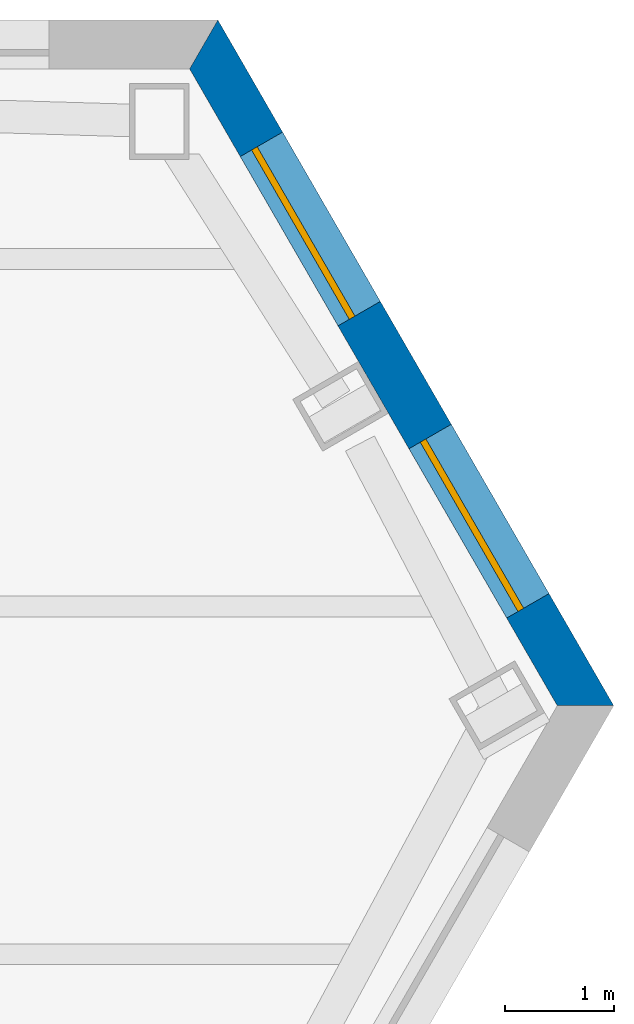
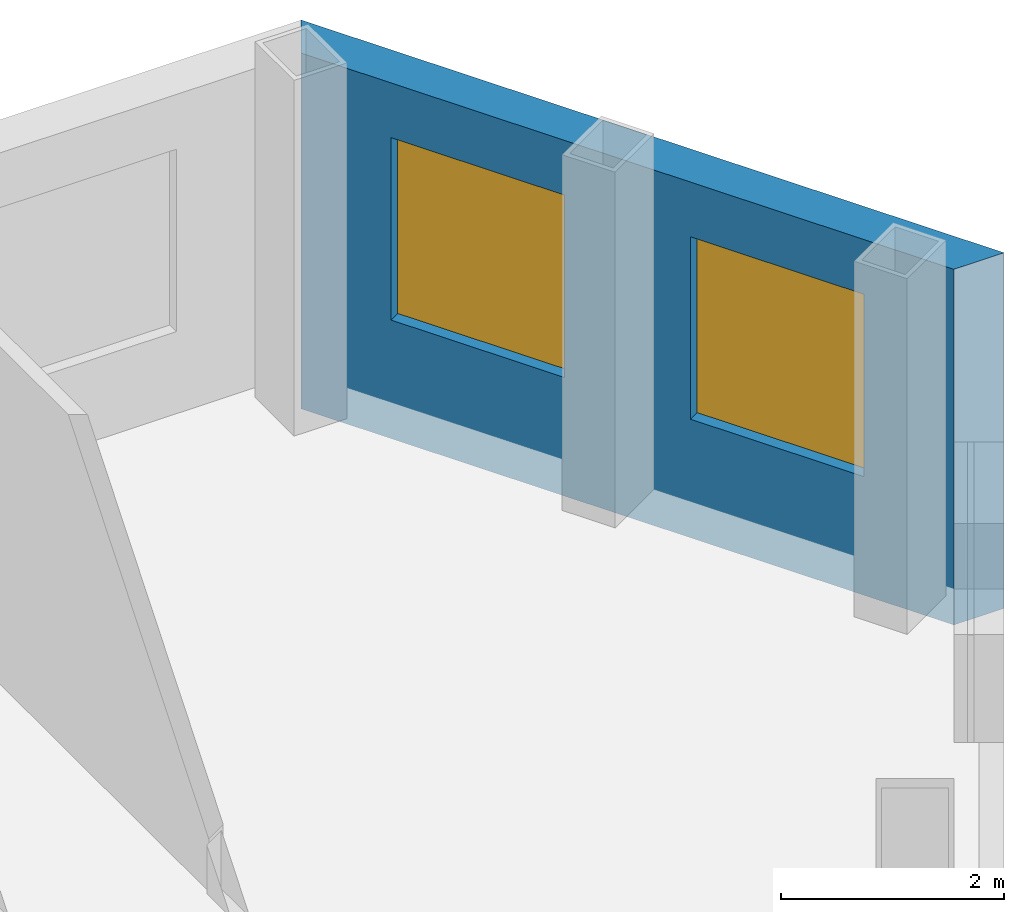
# One storey, part 8 of 11: 2 windows, 1 wall, 2 openings.
"""IFC4 building model written with IfcOpenShell, lengths in metres."""

from ifc_helpers import new_model, si_unit, direction, frame, frame_2d, origin, place, context, subcontext, project, spatial, polyline, rectangle, outline, extrude, material, layer, layer_set, type_object, element, fill, save


model = new_model("IFC4")

# Units and contexts
model_context = context("Model", 3, precision=1e-05, world=origin(), true_north=direction((0.0, 1.0)))
body_context = subcontext(model_context, "Body", "Model", "MODEL_VIEW")
ifc_project = project(units=[si_unit("LENGTHUNIT", "METRE"), si_unit("AREAUNIT", "SQUARE_METRE"), si_unit("VOLUMEUNIT", "CUBIC_METRE"), si_unit("PLANEANGLEUNIT", "RADIAN"), si_unit("MASSUNIT", "GRAM", prefix="KILO")], contexts=[model_context])

# Site, building, storey
site_placement = place(None, origin())
site = spatial("IfcSite", under=ifc_project, at=site_placement, CompositionType="ELEMENT")
building_placement = place(site_placement, origin())
building = spatial("IfcBuilding", under=site, at=building_placement, Name="Njiva Tower", CompositionType="ELEMENT")
storey_placement = place(building_placement, frame((0.0, 0.0, 204.3)))
storey = spatial("IfcBuildingStorey", under=building, at=storey_placement, Name="L45", CompositionType="ELEMENT", Elevation=204.3)

# Wall, openings, windows
ifc_material_1 = material(Name="Brick masonry, buff", Category="masonry")
ifc_layer = layer(ifc_material_1, 0.45)
ifc_layer_set = layer_set([ifc_layer], Name="Brick masonry, buff")
wall_type = type_object("IfcWallType", Name="WT94 Brick pier and spandrel wall 450, buff", PredefinedType="SOLIDWALL", material=ifc_layer_set)
wall_placement = place(storey_placement, frame((26.3852, 13.8867, -0.4), z_axis=(0.0, 0.0, 1.0), x_axis=(-0.500001958282, 0.866024273167, 0.0)))
wall = element("IfcWall", 1, at=wall_placement, inside=storey, type_object=wall_type, Name="Facade wall NE", PredefinedType="SOLIDWALL", context=body_context, shape_type="SweptSolid", body=[
    extrude(outline(polyline([(-0.1299, -0.225), (7.1601, -0.225), (6.9003, 0.225), (0.1299, 0.225), (-0.1299, -0.225)])), origin(), (0.0, 0.0, 1.0), 3.9),
])
opening_1_placement = place(wall_placement, frame((1.0619, 0.0, 1.3)))
opening_1 = element("IfcOpeningElement", 2, at=opening_1_placement, cuts=wall, Name="Opening S15-W33", PredefinedType="OPENING", context=body_context, shape_type="SweptSolid", body=[
    extrude(rectangle(XDim=1.8, YDim=2.0, at=frame_2d((0.9, 1.0))), frame((0.0, 0.235, 0.0), z_axis=(0.0, -1.0, 0.0), x_axis=(1.0, 0.0, 0.0)), (0.0, 0.0, 1.0), 0.47),
])
opening_2_placement = place(wall_placement, frame((4.1682, 0.0, 1.3)))
opening_2 = element("IfcOpeningElement", 3, at=opening_2_placement, cuts=wall, Name="Opening S15-W34", PredefinedType="OPENING", context=body_context, shape_type="SweptSolid", body=[
    extrude(rectangle(XDim=1.8, YDim=2.0, at=frame_2d((0.9, 1.0))), frame((0.0, 0.235, 0.0), z_axis=(0.0, -1.0, 0.0), x_axis=(1.0, 0.0, 0.0)), (0.0, 0.0, 1.0), 0.47),
])
ifc_material_2 = material(Name="Clear glazing in aluminium frame", Category="aluminium")
window_type = type_object("IfcWindowType", Name="W94 Deep-set window 1800x2000", PartitioningType="SINGLE_PANEL", PredefinedType="WINDOW", material=ifc_material_2)
window_1_placement = place(opening_1_placement, origin())
window_1 = element("IfcWindow", 4, at=window_1_placement, inside=storey, type_object=window_type, Name="Window", OverallHeight=2.0, OverallWidth=1.8, PartitioningType="SINGLE_PANEL", PredefinedType="WINDOW", context=body_context, shape_type="SweptSolid", body=[
    extrude(rectangle(XDim=1.8, YDim=2.0, at=frame_2d((0.9, 1.0))), frame((0.0, 0.105, 0.0), z_axis=(0.0, -1.0, 0.0), x_axis=(1.0, 0.0, 0.0)), (0.0, 0.0, 1.0), 0.06),
])
fill(opening_1, window_1)
window_2_placement = place(opening_2_placement, origin())
window_2 = element("IfcWindow", 5, at=window_2_placement, inside=storey, type_object=window_type, Name="Window", OverallHeight=2.0, OverallWidth=1.8, PartitioningType="SINGLE_PANEL", PredefinedType="WINDOW", context=body_context, shape_type="SweptSolid", body=[
    extrude(rectangle(XDim=1.8, YDim=2.0, at=frame_2d((0.9, 1.0))), frame((0.0, 0.105, 0.0), z_axis=(0.0, -1.0, 0.0), x_axis=(1.0, 0.0, 0.0)), (0.0, 0.0, 1.0), 0.06),
])
fill(opening_2, window_2)

save(model, "model.ifc")
